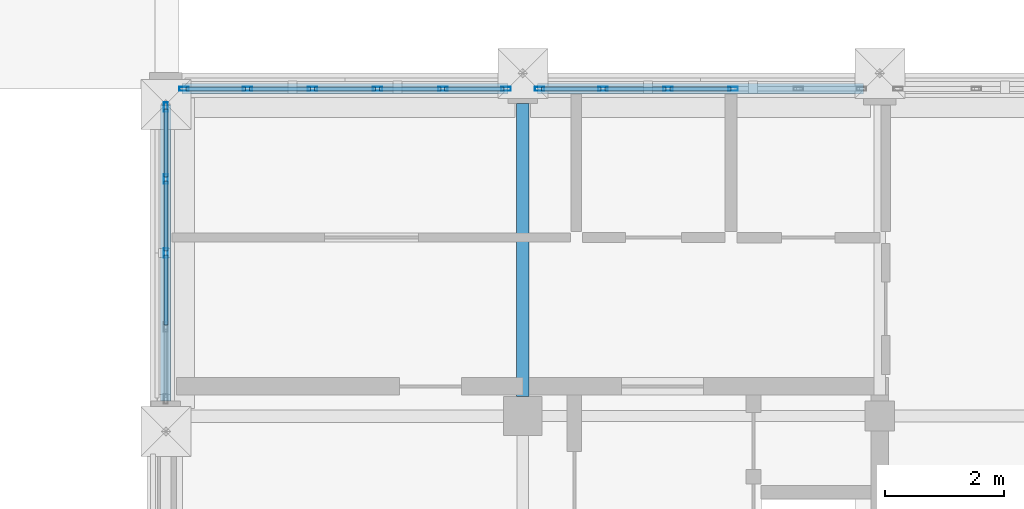
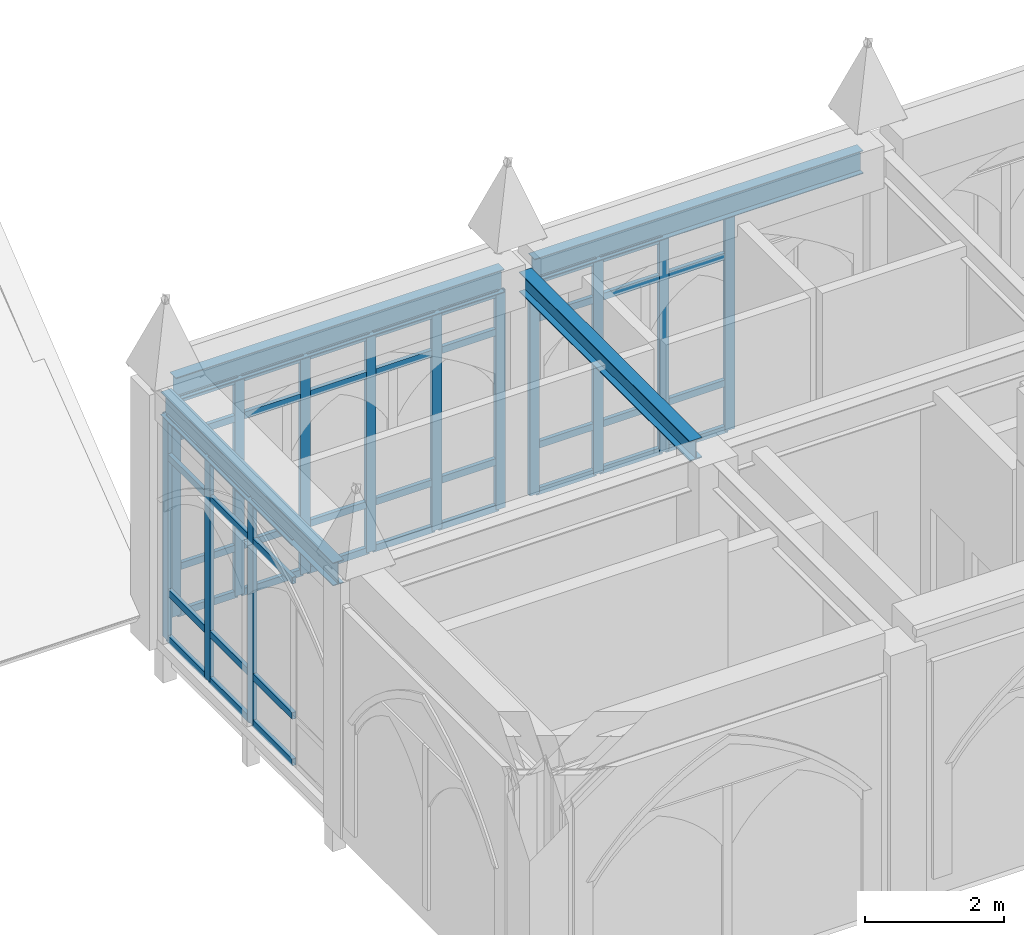
# One storey, part 4 of 143: 56 members, 4 beams, 3 elements without a shape of their own.
"""IFC4 building model written with IfcOpenShell, lengths in metres."""

from ifc_helpers import new_model, si_unit, direction, frame, origin, origin_2d, place, context, subcontext, project, spatial, hollow_rectangle, i_section, extrude, material, layer, layer_set, material_profile, profile_set, type_object, element, aggregate, save


model = new_model("IFC4")

# Units and contexts
model_context = context("Model", 3, precision=1e-05, world=origin(), true_north=direction((0.0, 1.0)))
body_context = subcontext(model_context, "Body", "Model", "MODEL_VIEW")
ifc_project = project(units=[si_unit("LENGTHUNIT", "METRE"), si_unit("AREAUNIT", "SQUARE_METRE"), si_unit("VOLUMEUNIT", "CUBIC_METRE"), si_unit("PLANEANGLEUNIT", "RADIAN"), si_unit("MASSUNIT", "GRAM", prefix="KILO")], contexts=[model_context])

# Site, building, storey
site_placement = place(None, origin())
site = spatial("IfcSite", under=ifc_project, at=site_placement, CompositionType="ELEMENT")
building_placement = place(site_placement, origin())
building = spatial("IfcBuilding", under=site, at=building_placement, Name="Cumevento Cable Car Station", CompositionType="ELEMENT")
storey_placement = place(building_placement, frame((0.0, 0.0, 9.0)))
storey = spatial("IfcBuildingStorey", under=building, at=storey_placement, Name="L03", CompositionType="ELEMENT", Elevation=9.0)

# Curtain wall, members
ifc_material_1 = material(Name="Anodised Bronze Aluminium AW-6063-T6", Category="aluminium")
ifc_layer_1 = layer(ifc_material_1, 0.172119140625)
ifc_layer_set_1 = layer_set([ifc_layer_1], Name="Anodised Bronze Aluminium AW-6063-T6")
curtain_wall_type_1 = type_object("IfcCurtainWallType", Name="Lancet Curtain Wall CW-03 1130", PredefinedType="NOTDEFINED", material=ifc_layer_set_1)
curtain_wall_1_placement = place(storey_placement, origin())
curtain_wall_1 = element("IfcCurtainWall", 1, at=curtain_wall_1_placement, inside=storey, type_object=curtain_wall_type_1, Name="Lancet Curtain Wall CW-03 L03 #66", PredefinedType="NOTDEFINED")
ifc_material_2 = material(Name="Anodised Bronze Aluminium AW-6063-T6", Category="aluminium")
ifc_material_profile_1 = material_profile(ifc_material_2, hollow_rectangle(XDim=0.06494140625, YDim=0.159912109375, WallThickness=0.00390625, at=origin_2d()), Name="ALUM65x160x4")
ifc_profile_set_1 = profile_set([ifc_material_profile_1], Name="Anodised Bronze Aluminium AW-6063-T6")
member_type_1 = type_object("IfcMemberType", Name="Curtain Mullion CWM-01 ALUM65x160x4", PredefinedType="MULLION", material=ifc_profile_set_1)
member_1_placement = place(storey_placement, frame((22.3076171875, 15.0, 0.260009765625), z_axis=(0.0, 0.0, 1.0), x_axis=(0.0, 1.0, 0.0)))
member_1 = element("IfcMember", 2, at=member_1_placement, type_object=member_type_1, Name="CW-03 mullion 1", PredefinedType="MULLION", context=body_context, shape_type="SweptSolid", body=[
    extrude(hollow_rectangle(XDim=0.06494140625, YDim=0.159912109375, WallThickness=0.00390625, at=origin_2d()), origin(), (0.0, 0.0, 1.0), 3.8330078125),
])
member_2_placement = place(storey_placement, frame((23.3701171875, 15.0, 0.260009765625), z_axis=(0.0, 0.0, 1.0), x_axis=(0.0, 1.0, 0.0)))
member_2 = element("IfcMember", 3, at=member_2_placement, type_object=member_type_1, Name="CW-03 mullion 2", PredefinedType="MULLION", context=body_context, shape_type="SweptSolid", body=[
    extrude(hollow_rectangle(XDim=0.06494140625, YDim=0.159912109375, WallThickness=0.00390625, at=origin_2d()), origin(), (0.0, 0.0, 1.0), 3.8330078125),
])
member_3_placement = place(storey_placement, frame((24.465087890625, 15.0, 0.260009765625), z_axis=(0.0, 0.0, 1.0), x_axis=(0.0, 1.0, 0.0)))
member_3 = element("IfcMember", 4, at=member_3_placement, type_object=member_type_1, Name="CW-03 mullion 3", PredefinedType="MULLION", context=body_context, shape_type="SweptSolid", body=[
    extrude(hollow_rectangle(XDim=0.06494140625, YDim=0.159912109375, WallThickness=0.00390625, at=origin_2d()), origin(), (0.0, 0.0, 1.0), 3.8330078125),
])
member_4_placement = place(storey_placement, frame((25.56005859375, 15.0, 0.260009765625), z_axis=(0.0, 0.0, 1.0), x_axis=(0.0, 1.0, 0.0)))
member_4 = element("IfcMember", 5, at=member_4_placement, type_object=member_type_1, Name="CW-03 mullion 4", PredefinedType="MULLION", context=body_context, shape_type="SweptSolid", body=[
    extrude(hollow_rectangle(XDim=0.06494140625, YDim=0.159912109375, WallThickness=0.00390625, at=origin_2d()), origin(), (0.0, 0.0, 1.0), 3.8330078125),
])
member_5_placement = place(storey_placement, frame((26.655029296875, 15.0, 0.260009765625), z_axis=(0.0, 0.0, 1.0), x_axis=(0.0, 1.0, 0.0)))
member_5 = element("IfcMember", 6, at=member_5_placement, type_object=member_type_1, Name="CW-03 mullion 5", PredefinedType="MULLION", context=body_context, shape_type="SweptSolid", body=[
    extrude(hollow_rectangle(XDim=0.06494140625, YDim=0.159912109375, WallThickness=0.00390625, at=origin_2d()), origin(), (0.0, 0.0, 1.0), 3.8330078125),
])
member_6_placement = place(storey_placement, frame((27.717529296875, 15.0, 0.260009765625), z_axis=(0.0, 0.0, 1.0), x_axis=(0.0, 1.0, 0.0)))
member_6 = element("IfcMember", 7, at=member_6_placement, type_object=member_type_1, Name="CW-03 mullion 6", PredefinedType="MULLION", context=body_context, shape_type="SweptSolid", body=[
    extrude(hollow_rectangle(XDim=0.06494140625, YDim=0.159912109375, WallThickness=0.00390625, at=origin_2d()), origin(), (0.0, 0.0, 1.0), 3.8330078125),
])

ifc_material_3 = material(Name="Anodised Bronze Aluminium AW-6063-T6", Category="aluminium")
ifc_layer_2 = layer(ifc_material_3, 0.177978515625)
ifc_layer_set_2 = layer_set([ifc_layer_2], Name="Anodised Bronze Aluminium AW-6063-T6")
curtain_wall_type_2 = type_object("IfcCurtainWallType", Name="Lancet Curtain Wall CW-04 1170", PredefinedType="NOTDEFINED", material=ifc_layer_set_2)
curtain_wall_2_placement = place(storey_placement, origin())
curtain_wall_2 = element("IfcCurtainWall", 8, at=curtain_wall_2_placement, inside=storey, type_object=curtain_wall_type_2, Name="Lancet Curtain Wall CW-04 L03 #67", PredefinedType="NOTDEFINED")
member_7_placement = place(storey_placement, frame((28.282470703125, 15.0, 0.31005859375), z_axis=(0.0, 0.0, 1.0), x_axis=(0.0, 1.0, 0.0)))
member_7 = element("IfcMember", 9, at=member_7_placement, type_object=member_type_1, Name="CW-04 mullion 1", PredefinedType="MULLION", context=body_context, shape_type="SweptSolid", body=[
    extrude(hollow_rectangle(XDim=0.06494140625, YDim=0.159912109375, WallThickness=0.00390625, at=origin_2d()), origin(), (0.0, 0.0, 1.0), 3.782958984375),
])
member_8_placement = place(storey_placement, frame((29.344970703125, 15.0, 0.31005859375), z_axis=(0.0, 0.0, 1.0), x_axis=(0.0, 1.0, 0.0)))
member_8 = element("IfcMember", 10, at=member_8_placement, type_object=member_type_1, Name="CW-04 mullion 2", PredefinedType="MULLION", context=body_context, shape_type="SweptSolid", body=[
    extrude(hollow_rectangle(XDim=0.06494140625, YDim=0.159912109375, WallThickness=0.00390625, at=origin_2d()), origin(), (0.0, 0.0, 1.0), 3.782958984375),
])
member_9_placement = place(storey_placement, frame((30.43994140625, 15.0, 0.31005859375), z_axis=(0.0, 0.0, 1.0), x_axis=(0.0, 1.0, 0.0)))
member_9 = element("IfcMember", 11, at=member_9_placement, type_object=member_type_1, Name="CW-04 mullion 3", PredefinedType="MULLION", context=body_context, shape_type="SweptSolid", body=[
    extrude(hollow_rectangle(XDim=0.06494140625, YDim=0.159912109375, WallThickness=0.00390625, at=origin_2d()), origin(), (0.0, 0.0, 1.0), 3.782958984375),
])
member_10_placement = place(storey_placement, frame((31.534912109375, 15.0, 0.31005859375), z_axis=(0.0, 0.0, 1.0), x_axis=(0.0, 1.0, 0.0)))
member_10 = element("IfcMember", 12, at=member_10_placement, type_object=member_type_1, Name="CW-04 mullion 4", PredefinedType="MULLION", context=body_context, shape_type="SweptSolid", body=[
    extrude(hollow_rectangle(XDim=0.06494140625, YDim=0.159912109375, WallThickness=0.00390625, at=origin_2d()), origin(), (0.0, 0.0, 1.0), 3.782958984375),
])

ifc_material_4 = material(Name="Anodised Bronze Aluminium AW-6063-T6", Category="aluminium")
ifc_layer_3 = layer(ifc_material_4, 0.2080078125)
ifc_layer_set_3 = layer_set([ifc_layer_3], Name="Anodised Bronze Aluminium AW-6063-T6")
curtain_wall_type_3 = type_object("IfcCurtainWallType", Name="Lancet Curtain Wall CW-09 1370", PredefinedType="NOTDEFINED", material=ifc_layer_set_3)
curtain_wall_3_placement = place(storey_placement, origin())
curtain_wall_3 = element("IfcCurtainWall", 13, at=curtain_wall_3_placement, inside=storey, type_object=curtain_wall_type_3, Name="Lancet Curtain Wall CW-09 L03 #72", PredefinedType="NOTDEFINED")
member_11_placement = place(storey_placement, frame((22.0, 12.237548828125, 0.159912109375), z_axis=(0.0, 0.0, 1.0), x_axis=(-1.0, 0.0, 0.0)))
member_11 = element("IfcMember", 14, at=member_11_placement, type_object=member_type_1, Name="CW-09 mullion 3", PredefinedType="MULLION", context=body_context, shape_type="SweptSolid", body=[
    extrude(hollow_rectangle(XDim=0.06494140625, YDim=0.159912109375, WallThickness=0.00390625, at=origin_2d()), origin(), (0.0, 0.0, 1.0), 3.93310546875),
])
member_12_placement = place(storey_placement, frame((22.0, 13.481201171875, 0.159912109375), z_axis=(0.0, 0.0, 1.0), x_axis=(-1.0, 0.0, 0.0)))
member_12 = element("IfcMember", 15, at=member_12_placement, type_object=member_type_1, Name="CW-09 mullion 4", PredefinedType="MULLION", context=body_context, shape_type="SweptSolid", body=[
    extrude(hollow_rectangle(XDim=0.06494140625, YDim=0.159912109375, WallThickness=0.00390625, at=origin_2d()), origin(), (0.0, 0.0, 1.0), 3.93310546875),
])
member_13_placement = place(storey_placement, frame((22.0, 14.6923828125, 0.159912109375), z_axis=(0.0, 0.0, 1.0), x_axis=(-1.0, 0.0, 0.0)))
member_13 = element("IfcMember", 16, at=member_13_placement, type_object=member_type_1, Name="CW-09 mullion 5", PredefinedType="MULLION", context=body_context, shape_type="SweptSolid", body=[
    extrude(hollow_rectangle(XDim=0.06494140625, YDim=0.159912109375, WallThickness=0.00390625, at=origin_2d()), origin(), (0.0, 0.0, 1.0), 3.93310546875),
])

# Member
ifc_material_5 = material(Name="Anodised Bronze Aluminium AW-6063-T6", Category="aluminium")
ifc_material_profile_2 = material_profile(ifc_material_5, hollow_rectangle(XDim=0.06494140625, YDim=0.1201171875, WallThickness=0.00390625, at=origin_2d()), Name="ALUT65x120x4")
ifc_profile_set_2 = profile_set([ifc_material_profile_2], Name="Anodised Bronze Aluminium AW-6063-T6")
member_type_2 = type_object("IfcMemberType", Name="Curtain Transom CWT-01 ALUT65x120x4", PredefinedType="USERDEFINED", material=ifc_profile_set_2)
member_14_placement = place(storey_placement, frame((22.340087890625, 15.0, 0.29248046875), z_axis=(1.0, 0.0, 0.0), x_axis=(0.0, 1.0, 0.0)))
member_14 = element("IfcMember", 17, at=member_14_placement, type_object=member_type_2, Name="CW-03 transom 1.1", ObjectType="TRANSOM", PredefinedType="USERDEFINED", context=body_context, shape_type="SweptSolid", body=[
    extrude(hollow_rectangle(XDim=0.06494140625, YDim=0.1201171875, WallThickness=0.00390625, at=origin_2d()), origin(), (0.0, 0.0, 1.0), 0.997314453125),
])

member_15_placement = place(storey_placement, frame((22.340087890625, 15.0, 1.110107421875), z_axis=(1.0, 0.0, 0.0), x_axis=(0.0, 1.0, 0.0)))
member_15 = element("IfcMember", 18, at=member_15_placement, type_object=member_type_2, Name="CW-03 transom 1.2", ObjectType="TRANSOM", PredefinedType="USERDEFINED", context=body_context, shape_type="SweptSolid", body=[
    extrude(hollow_rectangle(XDim=0.06494140625, YDim=0.1201171875, WallThickness=0.00390625, at=origin_2d()), origin(), (0.0, 0.0, 1.0), 0.997314453125),
])

member_16_placement = place(storey_placement, frame((22.340087890625, 15.0, 3.39306640625), z_axis=(1.0, 0.0, 0.0), x_axis=(0.0, 1.0, 0.0)))
member_16 = element("IfcMember", 19, at=member_16_placement, type_object=member_type_2, Name="CW-03 transom 1.3", ObjectType="TRANSOM", PredefinedType="USERDEFINED", context=body_context, shape_type="SweptSolid", body=[
    extrude(hollow_rectangle(XDim=0.06494140625, YDim=0.1201171875, WallThickness=0.00390625, at=origin_2d()), origin(), (0.0, 0.0, 1.0), 0.997314453125),
])

member_17_placement = place(storey_placement, frame((22.340087890625, 15.0, 4.060546875), z_axis=(1.0, 0.0, 0.0), x_axis=(0.0, 1.0, 0.0)))
member_17 = element("IfcMember", 20, at=member_17_placement, type_object=member_type_2, Name="CW-03 transom 1.4", ObjectType="TRANSOM", PredefinedType="USERDEFINED", context=body_context, shape_type="SweptSolid", body=[
    extrude(hollow_rectangle(XDim=0.06494140625, YDim=0.1201171875, WallThickness=0.00390625, at=origin_2d()), origin(), (0.0, 0.0, 1.0), 0.997314453125),
])

member_18_placement = place(storey_placement, frame((23.402587890625, 15.0, 0.29248046875), z_axis=(1.0, 0.0, 0.0), x_axis=(0.0, 1.0, 0.0)))
member_18 = element("IfcMember", 21, at=member_18_placement, type_object=member_type_2, Name="CW-03 transom 2.1", ObjectType="TRANSOM", PredefinedType="USERDEFINED", context=body_context, shape_type="SweptSolid", body=[
    extrude(hollow_rectangle(XDim=0.06494140625, YDim=0.1201171875, WallThickness=0.00390625, at=origin_2d()), origin(), (0.0, 0.0, 1.0), 1.030029296875),
])

member_19_placement = place(storey_placement, frame((23.402587890625, 15.0, 1.110107421875), z_axis=(1.0, 0.0, 0.0), x_axis=(0.0, 1.0, 0.0)))
member_19 = element("IfcMember", 22, at=member_19_placement, type_object=member_type_2, Name="CW-03 transom 2.2", ObjectType="TRANSOM", PredefinedType="USERDEFINED", context=body_context, shape_type="SweptSolid", body=[
    extrude(hollow_rectangle(XDim=0.06494140625, YDim=0.1201171875, WallThickness=0.00390625, at=origin_2d()), origin(), (0.0, 0.0, 1.0), 1.030029296875),
])

member_20_placement = place(storey_placement, frame((23.402587890625, 15.0, 3.39306640625), z_axis=(1.0, 0.0, 0.0), x_axis=(0.0, 1.0, 0.0)))
member_20 = element("IfcMember", 23, at=member_20_placement, type_object=member_type_2, Name="CW-03 transom 2.3", ObjectType="TRANSOM", PredefinedType="USERDEFINED", context=body_context, shape_type="SweptSolid", body=[
    extrude(hollow_rectangle(XDim=0.06494140625, YDim=0.1201171875, WallThickness=0.00390625, at=origin_2d()), origin(), (0.0, 0.0, 1.0), 1.030029296875),
])

member_21_placement = place(storey_placement, frame((23.402587890625, 15.0, 4.060546875), z_axis=(1.0, 0.0, 0.0), x_axis=(0.0, 1.0, 0.0)))
member_21 = element("IfcMember", 24, at=member_21_placement, type_object=member_type_2, Name="CW-03 transom 2.4", ObjectType="TRANSOM", PredefinedType="USERDEFINED", context=body_context, shape_type="SweptSolid", body=[
    extrude(hollow_rectangle(XDim=0.06494140625, YDim=0.1201171875, WallThickness=0.00390625, at=origin_2d()), origin(), (0.0, 0.0, 1.0), 1.030029296875),
])

member_22_placement = place(storey_placement, frame((24.49755859375, 15.0, 0.29248046875), z_axis=(1.0, 0.0, 0.0), x_axis=(0.0, 1.0, 0.0)))
member_22 = element("IfcMember", 25, at=member_22_placement, type_object=member_type_2, Name="CW-03 transom 3.1", ObjectType="TRANSOM", PredefinedType="USERDEFINED", context=body_context, shape_type="SweptSolid", body=[
    extrude(hollow_rectangle(XDim=0.06494140625, YDim=0.1201171875, WallThickness=0.00390625, at=origin_2d()), origin(), (0.0, 0.0, 1.0), 1.030029296875),
])

member_23_placement = place(storey_placement, frame((24.49755859375, 15.0, 1.110107421875), z_axis=(1.0, 0.0, 0.0), x_axis=(0.0, 1.0, 0.0)))
member_23 = element("IfcMember", 26, at=member_23_placement, type_object=member_type_2, Name="CW-03 transom 3.2", ObjectType="TRANSOM", PredefinedType="USERDEFINED", context=body_context, shape_type="SweptSolid", body=[
    extrude(hollow_rectangle(XDim=0.06494140625, YDim=0.1201171875, WallThickness=0.00390625, at=origin_2d()), origin(), (0.0, 0.0, 1.0), 1.030029296875),
])

member_24_placement = place(storey_placement, frame((24.49755859375, 15.0, 3.39306640625), z_axis=(1.0, 0.0, 0.0), x_axis=(0.0, 1.0, 0.0)))
member_24 = element("IfcMember", 27, at=member_24_placement, type_object=member_type_2, Name="CW-03 transom 3.3", ObjectType="TRANSOM", PredefinedType="USERDEFINED", context=body_context, shape_type="SweptSolid", body=[
    extrude(hollow_rectangle(XDim=0.06494140625, YDim=0.1201171875, WallThickness=0.00390625, at=origin_2d()), origin(), (0.0, 0.0, 1.0), 1.030029296875),
])

member_25_placement = place(storey_placement, frame((24.49755859375, 15.0, 4.060546875), z_axis=(1.0, 0.0, 0.0), x_axis=(0.0, 1.0, 0.0)))
member_25 = element("IfcMember", 28, at=member_25_placement, type_object=member_type_2, Name="CW-03 transom 3.4", ObjectType="TRANSOM", PredefinedType="USERDEFINED", context=body_context, shape_type="SweptSolid", body=[
    extrude(hollow_rectangle(XDim=0.06494140625, YDim=0.1201171875, WallThickness=0.00390625, at=origin_2d()), origin(), (0.0, 0.0, 1.0), 1.030029296875),
])

member_26_placement = place(storey_placement, frame((25.592529296875, 15.0, 0.29248046875), z_axis=(1.0, 0.0, 0.0), x_axis=(0.0, 1.0, 0.0)))
member_26 = element("IfcMember", 29, at=member_26_placement, type_object=member_type_2, Name="CW-03 transom 4.1", ObjectType="TRANSOM", PredefinedType="USERDEFINED", context=body_context, shape_type="SweptSolid", body=[
    extrude(hollow_rectangle(XDim=0.06494140625, YDim=0.1201171875, WallThickness=0.00390625, at=origin_2d()), origin(), (0.0, 0.0, 1.0), 1.030029296875),
])

member_27_placement = place(storey_placement, frame((25.592529296875, 15.0, 1.110107421875), z_axis=(1.0, 0.0, 0.0), x_axis=(0.0, 1.0, 0.0)))
member_27 = element("IfcMember", 30, at=member_27_placement, type_object=member_type_2, Name="CW-03 transom 4.2", ObjectType="TRANSOM", PredefinedType="USERDEFINED", context=body_context, shape_type="SweptSolid", body=[
    extrude(hollow_rectangle(XDim=0.06494140625, YDim=0.1201171875, WallThickness=0.00390625, at=origin_2d()), origin(), (0.0, 0.0, 1.0), 1.030029296875),
])

member_28_placement = place(storey_placement, frame((25.592529296875, 15.0, 3.39306640625), z_axis=(1.0, 0.0, 0.0), x_axis=(0.0, 1.0, 0.0)))
member_28 = element("IfcMember", 31, at=member_28_placement, type_object=member_type_2, Name="CW-03 transom 4.3", ObjectType="TRANSOM", PredefinedType="USERDEFINED", context=body_context, shape_type="SweptSolid", body=[
    extrude(hollow_rectangle(XDim=0.06494140625, YDim=0.1201171875, WallThickness=0.00390625, at=origin_2d()), origin(), (0.0, 0.0, 1.0), 1.030029296875),
])

member_29_placement = place(storey_placement, frame((25.592529296875, 15.0, 4.060546875), z_axis=(1.0, 0.0, 0.0), x_axis=(0.0, 1.0, 0.0)))
member_29 = element("IfcMember", 32, at=member_29_placement, type_object=member_type_2, Name="CW-03 transom 4.4", ObjectType="TRANSOM", PredefinedType="USERDEFINED", context=body_context, shape_type="SweptSolid", body=[
    extrude(hollow_rectangle(XDim=0.06494140625, YDim=0.1201171875, WallThickness=0.00390625, at=origin_2d()), origin(), (0.0, 0.0, 1.0), 1.030029296875),
])

member_30_placement = place(storey_placement, frame((26.6875, 15.0, 0.29248046875), z_axis=(1.0, 0.0, 0.0), x_axis=(0.0, 1.0, 0.0)))
member_30 = element("IfcMember", 33, at=member_30_placement, type_object=member_type_2, Name="CW-03 transom 5.1", ObjectType="TRANSOM", PredefinedType="USERDEFINED", context=body_context, shape_type="SweptSolid", body=[
    extrude(hollow_rectangle(XDim=0.06494140625, YDim=0.1201171875, WallThickness=0.00390625, at=origin_2d()), origin(), (0.0, 0.0, 1.0), 0.99755859375),
])

member_31_placement = place(storey_placement, frame((26.6875, 15.0, 1.110107421875), z_axis=(1.0, 0.0, 0.0), x_axis=(0.0, 1.0, 0.0)))
member_31 = element("IfcMember", 34, at=member_31_placement, type_object=member_type_2, Name="CW-03 transom 5.2", ObjectType="TRANSOM", PredefinedType="USERDEFINED", context=body_context, shape_type="SweptSolid", body=[
    extrude(hollow_rectangle(XDim=0.06494140625, YDim=0.1201171875, WallThickness=0.00390625, at=origin_2d()), origin(), (0.0, 0.0, 1.0), 0.99755859375),
])

member_32_placement = place(storey_placement, frame((26.6875, 15.0, 3.39306640625), z_axis=(1.0, 0.0, 0.0), x_axis=(0.0, 1.0, 0.0)))
member_32 = element("IfcMember", 35, at=member_32_placement, type_object=member_type_2, Name="CW-03 transom 5.3", ObjectType="TRANSOM", PredefinedType="USERDEFINED", context=body_context, shape_type="SweptSolid", body=[
    extrude(hollow_rectangle(XDim=0.06494140625, YDim=0.1201171875, WallThickness=0.00390625, at=origin_2d()), origin(), (0.0, 0.0, 1.0), 0.99755859375),
])

member_33_placement = place(storey_placement, frame((26.6875, 15.0, 4.060546875), z_axis=(1.0, 0.0, 0.0), x_axis=(0.0, 1.0, 0.0)))
member_33 = element("IfcMember", 36, at=member_33_placement, type_object=member_type_2, Name="CW-03 transom 5.4", ObjectType="TRANSOM", PredefinedType="USERDEFINED", context=body_context, shape_type="SweptSolid", body=[
    extrude(hollow_rectangle(XDim=0.06494140625, YDim=0.1201171875, WallThickness=0.00390625, at=origin_2d()), origin(), (0.0, 0.0, 1.0), 0.99755859375),
])

aggregate(curtain_wall_1, [member_1, member_2, member_3, member_4, member_5, member_6, member_14, member_15, member_16, member_17, member_18, member_19, member_20, member_21, member_22, member_23, member_24, member_25, member_26, member_27, member_28, member_29, member_30, member_31, member_32, member_33])

member_34_placement = place(storey_placement, frame((28.31494140625, 15.0, 0.342529296875), z_axis=(1.0, 0.0, 0.0), x_axis=(0.0, 1.0, 0.0)))
member_34 = element("IfcMember", 37, at=member_34_placement, type_object=member_type_2, Name="CW-04 transom 1.1", ObjectType="TRANSOM", PredefinedType="USERDEFINED", context=body_context, shape_type="SweptSolid", body=[
    extrude(hollow_rectangle(XDim=0.06494140625, YDim=0.1201171875, WallThickness=0.00390625, at=origin_2d()), origin(), (0.0, 0.0, 1.0), 0.99755859375),
])

member_35_placement = place(storey_placement, frame((28.31494140625, 15.0, 1.159912109375), z_axis=(1.0, 0.0, 0.0), x_axis=(0.0, 1.0, 0.0)))
member_35 = element("IfcMember", 38, at=member_35_placement, type_object=member_type_2, Name="CW-04 transom 1.2", ObjectType="TRANSOM", PredefinedType="USERDEFINED", context=body_context, shape_type="SweptSolid", body=[
    extrude(hollow_rectangle(XDim=0.06494140625, YDim=0.1201171875, WallThickness=0.00390625, at=origin_2d()), origin(), (0.0, 0.0, 1.0), 0.99755859375),
])

member_36_placement = place(storey_placement, frame((28.31494140625, 15.0, 3.39306640625), z_axis=(1.0, 0.0, 0.0), x_axis=(0.0, 1.0, 0.0)))
member_36 = element("IfcMember", 39, at=member_36_placement, type_object=member_type_2, Name="CW-04 transom 1.3", ObjectType="TRANSOM", PredefinedType="USERDEFINED", context=body_context, shape_type="SweptSolid", body=[
    extrude(hollow_rectangle(XDim=0.06494140625, YDim=0.1201171875, WallThickness=0.00390625, at=origin_2d()), origin(), (0.0, 0.0, 1.0), 0.99755859375),
])

member_37_placement = place(storey_placement, frame((28.31494140625, 15.0, 4.060546875), z_axis=(1.0, 0.0, 0.0), x_axis=(0.0, 1.0, 0.0)))
member_37 = element("IfcMember", 40, at=member_37_placement, type_object=member_type_2, Name="CW-04 transom 1.4", ObjectType="TRANSOM", PredefinedType="USERDEFINED", context=body_context, shape_type="SweptSolid", body=[
    extrude(hollow_rectangle(XDim=0.06494140625, YDim=0.1201171875, WallThickness=0.00390625, at=origin_2d()), origin(), (0.0, 0.0, 1.0), 0.99755859375),
])

member_38_placement = place(storey_placement, frame((29.37744140625, 15.0, 0.342529296875), z_axis=(1.0, 0.0, 0.0), x_axis=(0.0, 1.0, 0.0)))
member_38 = element("IfcMember", 41, at=member_38_placement, type_object=member_type_2, Name="CW-04 transom 2.1", ObjectType="TRANSOM", PredefinedType="USERDEFINED", context=body_context, shape_type="SweptSolid", body=[
    extrude(hollow_rectangle(XDim=0.06494140625, YDim=0.1201171875, WallThickness=0.00390625, at=origin_2d()), origin(), (0.0, 0.0, 1.0), 1.030029296875),
])

member_39_placement = place(storey_placement, frame((29.37744140625, 15.0, 1.159912109375), z_axis=(1.0, 0.0, 0.0), x_axis=(0.0, 1.0, 0.0)))
member_39 = element("IfcMember", 42, at=member_39_placement, type_object=member_type_2, Name="CW-04 transom 2.2", ObjectType="TRANSOM", PredefinedType="USERDEFINED", context=body_context, shape_type="SweptSolid", body=[
    extrude(hollow_rectangle(XDim=0.06494140625, YDim=0.1201171875, WallThickness=0.00390625, at=origin_2d()), origin(), (0.0, 0.0, 1.0), 1.030029296875),
])

member_40_placement = place(storey_placement, frame((29.37744140625, 15.0, 3.39306640625), z_axis=(1.0, 0.0, 0.0), x_axis=(0.0, 1.0, 0.0)))
member_40 = element("IfcMember", 43, at=member_40_placement, type_object=member_type_2, Name="CW-04 transom 2.3", ObjectType="TRANSOM", PredefinedType="USERDEFINED", context=body_context, shape_type="SweptSolid", body=[
    extrude(hollow_rectangle(XDim=0.06494140625, YDim=0.1201171875, WallThickness=0.00390625, at=origin_2d()), origin(), (0.0, 0.0, 1.0), 1.030029296875),
])

member_41_placement = place(storey_placement, frame((29.37744140625, 15.0, 4.060546875), z_axis=(1.0, 0.0, 0.0), x_axis=(0.0, 1.0, 0.0)))
member_41 = element("IfcMember", 44, at=member_41_placement, type_object=member_type_2, Name="CW-04 transom 2.4", ObjectType="TRANSOM", PredefinedType="USERDEFINED", context=body_context, shape_type="SweptSolid", body=[
    extrude(hollow_rectangle(XDim=0.06494140625, YDim=0.1201171875, WallThickness=0.00390625, at=origin_2d()), origin(), (0.0, 0.0, 1.0), 1.030029296875),
])

member_42_placement = place(storey_placement, frame((30.472412109375, 15.0, 0.342529296875), z_axis=(1.0, 0.0, 0.0), x_axis=(0.0, 1.0, 0.0)))
member_42 = element("IfcMember", 45, at=member_42_placement, type_object=member_type_2, Name="CW-04 transom 3.1", ObjectType="TRANSOM", PredefinedType="USERDEFINED", context=body_context, shape_type="SweptSolid", body=[
    extrude(hollow_rectangle(XDim=0.06494140625, YDim=0.1201171875, WallThickness=0.00390625, at=origin_2d()), origin(), (0.0, 0.0, 1.0), 1.030029296875),
])

member_43_placement = place(storey_placement, frame((30.472412109375, 15.0, 1.159912109375), z_axis=(1.0, 0.0, 0.0), x_axis=(0.0, 1.0, 0.0)))
member_43 = element("IfcMember", 46, at=member_43_placement, type_object=member_type_2, Name="CW-04 transom 3.2", ObjectType="TRANSOM", PredefinedType="USERDEFINED", context=body_context, shape_type="SweptSolid", body=[
    extrude(hollow_rectangle(XDim=0.06494140625, YDim=0.1201171875, WallThickness=0.00390625, at=origin_2d()), origin(), (0.0, 0.0, 1.0), 1.030029296875),
])

member_44_placement = place(storey_placement, frame((30.472412109375, 15.0, 3.39306640625), z_axis=(1.0, 0.0, 0.0), x_axis=(0.0, 1.0, 0.0)))
member_44 = element("IfcMember", 47, at=member_44_placement, type_object=member_type_2, Name="CW-04 transom 3.3", ObjectType="TRANSOM", PredefinedType="USERDEFINED", context=body_context, shape_type="SweptSolid", body=[
    extrude(hollow_rectangle(XDim=0.06494140625, YDim=0.1201171875, WallThickness=0.00390625, at=origin_2d()), origin(), (0.0, 0.0, 1.0), 1.030029296875),
])

aggregate(curtain_wall_2, [member_7, member_8, member_9, member_10, member_34, member_35, member_36, member_37, member_38, member_39, member_40, member_41, member_42, member_43, member_44])

member_45_placement = place(storey_placement, frame((22.0, 11.0263671875, 0.1923828125), z_axis=(0.0, 1.0, 0.0), x_axis=(-1.0, 0.0, 0.0)))
member_45 = element("IfcMember", 48, at=member_45_placement, type_object=member_type_2, Name="CW-09 transom 2.1", ObjectType="TRANSOM", PredefinedType="USERDEFINED", context=body_context, shape_type="SweptSolid", body=[
    extrude(hollow_rectangle(XDim=0.06494140625, YDim=0.1201171875, WallThickness=0.00390625, at=origin_2d()), origin(), (0.0, 0.0, 1.0), 1.1787109375),
])

member_46_placement = place(storey_placement, frame((22.0, 11.0263671875, 1.010009765625), z_axis=(0.0, 1.0, 0.0), x_axis=(-1.0, 0.0, 0.0)))
member_46 = element("IfcMember", 49, at=member_46_placement, type_object=member_type_2, Name="CW-09 transom 2.2", ObjectType="TRANSOM", PredefinedType="USERDEFINED", context=body_context, shape_type="SweptSolid", body=[
    extrude(hollow_rectangle(XDim=0.06494140625, YDim=0.1201171875, WallThickness=0.00390625, at=origin_2d()), origin(), (0.0, 0.0, 1.0), 1.1787109375),
])

member_47_placement = place(storey_placement, frame((22.0, 11.0263671875, 3.39306640625), z_axis=(0.0, 1.0, 0.0), x_axis=(-1.0, 0.0, 0.0)))
member_47 = element("IfcMember", 50, at=member_47_placement, type_object=member_type_2, Name="CW-09 transom 2.3", ObjectType="TRANSOM", PredefinedType="USERDEFINED", context=body_context, shape_type="SweptSolid", body=[
    extrude(hollow_rectangle(XDim=0.06494140625, YDim=0.1201171875, WallThickness=0.00390625, at=origin_2d()), origin(), (0.0, 0.0, 1.0), 1.1787109375),
])

member_48_placement = place(storey_placement, frame((22.0, 11.0263671875, 4.060546875), z_axis=(0.0, 1.0, 0.0), x_axis=(-1.0, 0.0, 0.0)))
member_48 = element("IfcMember", 51, at=member_48_placement, type_object=member_type_2, Name="CW-09 transom 2.4", ObjectType="TRANSOM", PredefinedType="USERDEFINED", context=body_context, shape_type="SweptSolid", body=[
    extrude(hollow_rectangle(XDim=0.06494140625, YDim=0.1201171875, WallThickness=0.00390625, at=origin_2d()), origin(), (0.0, 0.0, 1.0), 1.1787109375),
])

member_49_placement = place(storey_placement, frame((22.0, 12.27001953125, 0.1923828125), z_axis=(0.0, 1.0, 0.0), x_axis=(-1.0, 0.0, 0.0)))
member_49 = element("IfcMember", 52, at=member_49_placement, type_object=member_type_2, Name="CW-09 transom 3.1", ObjectType="TRANSOM", PredefinedType="USERDEFINED", context=body_context, shape_type="SweptSolid", body=[
    extrude(hollow_rectangle(XDim=0.06494140625, YDim=0.1201171875, WallThickness=0.00390625, at=origin_2d()), origin(), (0.0, 0.0, 1.0), 1.1787109375),
])

member_50_placement = place(storey_placement, frame((22.0, 12.27001953125, 1.010009765625), z_axis=(0.0, 1.0, 0.0), x_axis=(-1.0, 0.0, 0.0)))
member_50 = element("IfcMember", 53, at=member_50_placement, type_object=member_type_2, Name="CW-09 transom 3.2", ObjectType="TRANSOM", PredefinedType="USERDEFINED", context=body_context, shape_type="SweptSolid", body=[
    extrude(hollow_rectangle(XDim=0.06494140625, YDim=0.1201171875, WallThickness=0.00390625, at=origin_2d()), origin(), (0.0, 0.0, 1.0), 1.1787109375),
])

member_51_placement = place(storey_placement, frame((22.0, 12.27001953125, 3.39306640625), z_axis=(0.0, 1.0, 0.0), x_axis=(-1.0, 0.0, 0.0)))
member_51 = element("IfcMember", 54, at=member_51_placement, type_object=member_type_2, Name="CW-09 transom 3.3", ObjectType="TRANSOM", PredefinedType="USERDEFINED", context=body_context, shape_type="SweptSolid", body=[
    extrude(hollow_rectangle(XDim=0.06494140625, YDim=0.1201171875, WallThickness=0.00390625, at=origin_2d()), origin(), (0.0, 0.0, 1.0), 1.1787109375),
])

member_52_placement = place(storey_placement, frame((22.0, 12.27001953125, 4.060546875), z_axis=(0.0, 1.0, 0.0), x_axis=(-1.0, 0.0, 0.0)))
member_52 = element("IfcMember", 55, at=member_52_placement, type_object=member_type_2, Name="CW-09 transom 3.4", ObjectType="TRANSOM", PredefinedType="USERDEFINED", context=body_context, shape_type="SweptSolid", body=[
    extrude(hollow_rectangle(XDim=0.06494140625, YDim=0.1201171875, WallThickness=0.00390625, at=origin_2d()), origin(), (0.0, 0.0, 1.0), 1.1787109375),
])

member_53_placement = place(storey_placement, frame((22.0, 13.513671875, 0.1923828125), z_axis=(0.0, 1.0, 0.0), x_axis=(-1.0, 0.0, 0.0)))
member_53 = element("IfcMember", 56, at=member_53_placement, type_object=member_type_2, Name="CW-09 transom 4.1", ObjectType="TRANSOM", PredefinedType="USERDEFINED", context=body_context, shape_type="SweptSolid", body=[
    extrude(hollow_rectangle(XDim=0.06494140625, YDim=0.1201171875, WallThickness=0.00390625, at=origin_2d()), origin(), (0.0, 0.0, 1.0), 1.146240234375),
])

member_54_placement = place(storey_placement, frame((22.0, 13.513671875, 1.010009765625), z_axis=(0.0, 1.0, 0.0), x_axis=(-1.0, 0.0, 0.0)))
member_54 = element("IfcMember", 57, at=member_54_placement, type_object=member_type_2, Name="CW-09 transom 4.2", ObjectType="TRANSOM", PredefinedType="USERDEFINED", context=body_context, shape_type="SweptSolid", body=[
    extrude(hollow_rectangle(XDim=0.06494140625, YDim=0.1201171875, WallThickness=0.00390625, at=origin_2d()), origin(), (0.0, 0.0, 1.0), 1.146240234375),
])

member_55_placement = place(storey_placement, frame((22.0, 13.513671875, 3.39306640625), z_axis=(0.0, 1.0, 0.0), x_axis=(-1.0, 0.0, 0.0)))
member_55 = element("IfcMember", 58, at=member_55_placement, type_object=member_type_2, Name="CW-09 transom 4.3", ObjectType="TRANSOM", PredefinedType="USERDEFINED", context=body_context, shape_type="SweptSolid", body=[
    extrude(hollow_rectangle(XDim=0.06494140625, YDim=0.1201171875, WallThickness=0.00390625, at=origin_2d()), origin(), (0.0, 0.0, 1.0), 1.146240234375),
])

member_56_placement = place(storey_placement, frame((22.0, 13.513671875, 4.060546875), z_axis=(0.0, 1.0, 0.0), x_axis=(-1.0, 0.0, 0.0)))
member_56 = element("IfcMember", 59, at=member_56_placement, type_object=member_type_2, Name="CW-09 transom 4.4", ObjectType="TRANSOM", PredefinedType="USERDEFINED", context=body_context, shape_type="SweptSolid", body=[
    extrude(hollow_rectangle(XDim=0.06494140625, YDim=0.1201171875, WallThickness=0.00390625, at=origin_2d()), origin(), (0.0, 0.0, 1.0), 1.146240234375),
])

aggregate(curtain_wall_3, [member_11, member_12, member_13, member_45, member_46, member_47, member_48, member_49, member_50, member_51, member_52, member_53, member_54, member_55, member_56])

# Beams
ifc_material_6 = material(Name="Steel ASTM A572 Grade 50", Category="steel")
ifc_material_profile_3 = material_profile(ifc_material_6, i_section(OverallWidth=0.205078125, OverallDepth=0.35400390625, WebThickness=0.009521484375, FlangeThickness=0.016845703125, at=origin_2d()), Name="W360x79.0")
ifc_profile_set_3 = profile_set([ifc_material_profile_3], Name="Steel ASTM A572 Grade 50")
beam_type_1 = type_object("IfcBeamType", Name="Structural Beam BM-05 W360x79.0", PredefinedType="BEAM", material=ifc_profile_set_3)
beam_1_placement = place(storey_placement, frame((28.0, 9.824951171875, 4.322998046875), z_axis=(0.0, 1.0, 0.0), x_axis=(-1.0, 0.0, 0.0)))
element("IfcBeam", 60, at=beam_1_placement, inside=storey, type_object=beam_type_1, Name="Beam BM-05 L03 #939", PredefinedType="BEAM", context=body_context, shape_type="SweptSolid", body=[
    extrude(i_section(OverallWidth=0.205078125, OverallDepth=0.35400390625, WebThickness=0.009521484375, FlangeThickness=0.016845703125, at=origin_2d()), origin(), (0.0, 0.0, 1.0), 4.925048828125),
])
ifc_material_7 = material(Name="Steel ASTM A572 Grade 50", Category="steel")
ifc_material_profile_4 = material_profile(ifc_material_7, i_section(OverallWidth=0.177978515625, OverallDepth=0.406982421875, WebThickness=0.0078125, FlangeThickness=0.0126953125, at=origin_2d()), Name="W410x60.0")
ifc_profile_set_4 = profile_set([ifc_material_profile_4], Name="Steel ASTM A572 Grade 50")
beam_type_2 = type_object("IfcBeamType", Name="Structural Spandrel SP-01 W410x60.0", PredefinedType="SPANDREL", material=ifc_profile_set_4)
for number, where, z_axis, x_axis, name in (
    (61, (22.27490234375, 15.0, 4.29638671875), (1.0, 0.0, 0.0), (0.0, 1.0, 0.0), "Beam SP-01 L03 #932"),
    (62, (28.25, 15.0, 4.29638671875), (1.0, 0.0, 0.0), (0.0, 1.0, 0.0), "Beam SP-01 L03 #933"),
):
    element("IfcBeam", number, at=place(storey_placement, frame(where, z_axis=z_axis, x_axis=x_axis)), inside=storey, type_object=beam_type_2, Name=name, PredefinedType="SPANDREL", context=body_context, shape_type="SweptSolid", body=[
        extrude(i_section(OverallWidth=0.177978515625, OverallDepth=0.406982421875, WebThickness=0.0078125, FlangeThickness=0.0126953125, at=origin_2d()), origin(), (0.0, 0.0, 1.0), 5.47509765625),
    ])
beam_2_placement = place(storey_placement, frame((22.0, 9.75, 4.29638671875), z_axis=(0.0, 1.0, 0.0), x_axis=(-1.0, 0.0, 0.0)))
element("IfcBeam", 63, at=beam_2_placement, inside=storey, type_object=beam_type_2, Name="Beam SP-01 L03 #937", PredefinedType="SPANDREL", context=body_context, shape_type="SweptSolid", body=[
    extrude(i_section(OverallWidth=0.177978515625, OverallDepth=0.406982421875, WebThickness=0.0078125, FlangeThickness=0.0126953125, at=origin_2d()), origin(), (0.0, 0.0, 1.0), 4.97509765625),
])

save(model, "model.ifc")
